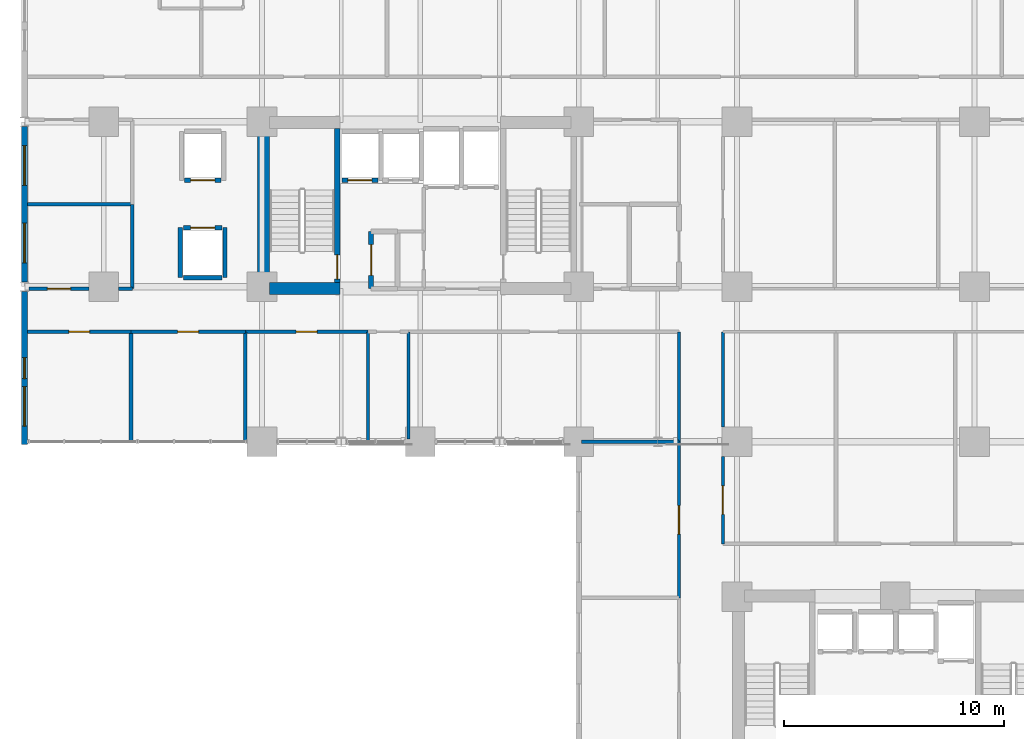
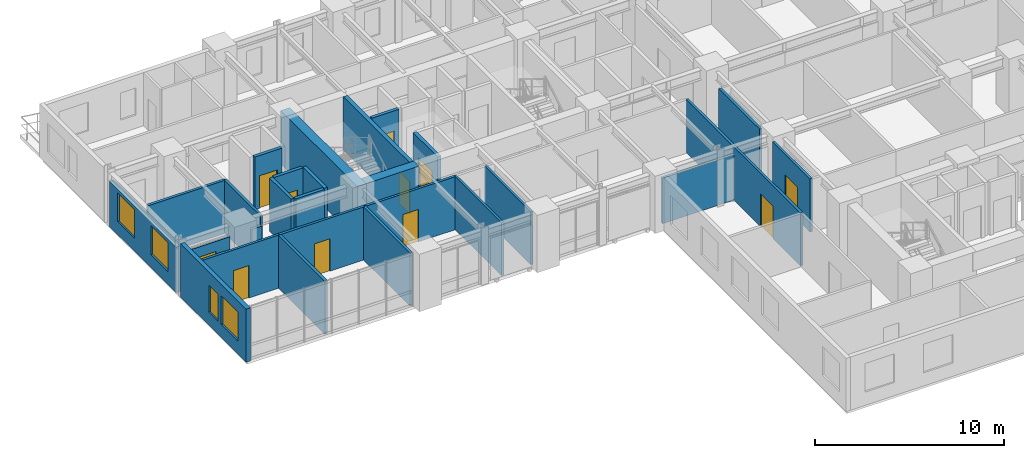
# One storey, part 8 of 17: 28 walls, 11 doors, 4 windows, 15 openings.
"""IFC4 building model written with IfcOpenShell, lengths in metres."""

from ifc_helpers import new_model, si_unit, direction, frame, frame_2d, origin, place, context, subcontext, project, spatial, rectangle, extrude, material, layer, layer_set, type_object, element, fill, save


model = new_model("IFC4")

# Units and contexts
model_context = context("Model", 3, precision=1e-05, world=origin(), true_north=direction((0.0, 1.0)))
body_context = subcontext(model_context, "Body", "Model", "MODEL_VIEW")
ifc_project = project(units=[si_unit("LENGTHUNIT", "METRE"), si_unit("AREAUNIT", "SQUARE_METRE"), si_unit("VOLUMEUNIT", "CUBIC_METRE"), si_unit("PLANEANGLEUNIT", "RADIAN"), si_unit("MASSUNIT", "GRAM", prefix="KILO")], contexts=[model_context])

# Site, building, storey
site_placement = place(None, origin())
site = spatial("IfcSite", under=ifc_project, at=site_placement, CompositionType="ELEMENT")
building_placement = place(site_placement, origin())
building = spatial("IfcBuilding", under=site, at=building_placement, Name="Kaliganga Portal Commons", CompositionType="ELEMENT")
storey_placement = place(building_placement, frame((0.0, 0.0, 43.800048828125)))
storey = spatial("IfcBuildingStorey", under=building, at=storey_placement, Name="L10", CompositionType="ELEMENT", Elevation=43.800048828125)

# Walls
ifc_material_1 = material(Name="Concrete C60/75", Category="concrete")
ifc_layer_1 = layer(ifc_material_1, 0.550048828125)
ifc_layer_set_1 = layer_set([ifc_layer_1], Name="Concrete C60/75")
wall_type_1 = type_object("IfcWallType", Name="WL-CORE-550", PredefinedType="SHEAR", material=ifc_layer_set_1)
wall_1_placement = place(storey_placement, frame((14.47509765625, 28.300048828125, 0.0), z_axis=(0.0, 0.0, 1.0), x_axis=(0.0, 1.0, 0.0)))
element("IfcWall", 1, at=wall_1_placement, inside=storey, type_object=wall_type_1, Name="Core A West Shear Wall L10", PredefinedType="SHEAR", context=body_context, shape_type="SweptSolid", body=[
    extrude(rectangle(XDim=8.099853515625, YDim=0.550048828125, at=frame_2d((4.0498046875, 0.0))), origin(), (0.0, 0.0, 1.0), 3.449951171875),
])
wall_2_placement = place(storey_placement, frame((14.75, 28.574951171875, 0.0), z_axis=(0.0, 0.0, 1.0), x_axis=(1.0, 0.0, 0.0)))
element("IfcWall", 2, at=wall_2_placement, inside=storey, type_object=wall_type_1, Name="Core A S-West Shear Wall L10", PredefinedType="SHEAR", context=body_context, shape_type="SweptSolid", body=[
    extrude(rectangle(XDim=3.199951171875, YDim=0.550048828125, at=frame_2d((1.60009765625, 0.0))), origin(), (0.0, 0.0, 1.0), 3.449951171875),
])

# Wall, openings, windows
ifc_material_2 = material(Name="Insulated Aluminium-Clad Spandrel Assembly", Category="aluminium")
ifc_layer_2 = layer(ifc_material_2, 0.260009765625)
ifc_layer_set_2 = layer_set([ifc_layer_2], Name="Insulated Aluminium-Clad Spandrel Assembly")
wall_type_2 = type_object("IfcWallType", Name="WL-EXT-SPAND-260", PredefinedType="STANDARD", material=ifc_layer_set_2)
wall_3_placement = place(storey_placement, frame((3.60009765625, 28.8740234375, 0.0), z_axis=(0.0, 0.0, 1.0), x_axis=(0.0, 1.0, 0.0)))
wall_3 = element("IfcWall", 3, at=wall_3_placement, inside=storey, type_object=wall_type_2, Name="Exterior Envelope Wall L10 P1-E03-S2", PredefinedType="STANDARD", context=body_context, shape_type="SweptSolid", body=[
    extrude(rectangle(XDim=7.052001953125, YDim=0.260009765625, at=frame_2d((3.52587890625, 0.0))), origin(), (0.0, 0.0, 1.0), 2.929931640625),
])
opening_1_placement = place(wall_3_placement, frame((0.863037109375, 0.0, 0.85009765625)))
opening_1 = element("IfcOpeningElement", 4, at=opening_1_placement, cuts=wall_3, Name="Opening W-01", PredefinedType="OPENING", context=body_context, shape_type="SweptSolid", body=[
    extrude(rectangle(XDim=1.800048828125, YDim=1.85009765625, at=frame_2d((0.89990234375, 0.925048828125))), frame((0.0, 0.14013671875, 0.0), z_axis=(0.0, -1.0, 0.0), x_axis=(1.0, 0.0, 0.0)), (0.0, 0.0, 1.0), 0.280029296875),
])
opening_2_placement = place(wall_3_placement, frame((4.388916015625, 0.0, 0.85009765625)))
opening_2 = element("IfcOpeningElement", 5, at=opening_2_placement, cuts=wall_3, Name="Opening W-01", PredefinedType="OPENING", context=body_context, shape_type="SweptSolid", body=[
    extrude(rectangle(XDim=1.800048828125, YDim=1.85009765625, at=frame_2d((0.89990234375, 0.925048828125))), frame((0.0, 0.14013671875, 0.0), z_axis=(0.0, -1.0, 0.0), x_axis=(1.0, 0.0, 0.0)), (0.0, 0.0, 1.0), 0.280029296875),
])
ifc_material_3 = material(Name="Thermally Broken Aluminium and Low-E Double Glazing", Category="aluminium")
window_type_1 = type_object("IfcWindowType", Name="WIN-STD-1800", PartitioningType="DOUBLE_PANEL_VERTICAL", PredefinedType="WINDOW", material=ifc_material_3)
window_1_placement = place(opening_1_placement, origin())
window_1 = element("IfcWindow", 6, at=window_1_placement, inside=storey, type_object=window_type_1, Name="Facade Window L10-P1E03S2-00", OverallHeight=1.85009765625, OverallWidth=1.800048828125, PartitioningType="SINGLE_PANEL", PredefinedType="WINDOW", context=body_context, shape_type="SweptSolid", body=[
    extrude(rectangle(XDim=1.800048828125, YDim=1.85009765625, at=frame_2d((0.89990234375, 0.925048828125))), frame((0.0, 0.030029296875, 0.0), z_axis=(0.0, -1.0, 0.0), x_axis=(1.0, 0.0, 0.0)), (0.0, 0.0, 1.0), 0.06005859375),
])
fill(opening_1, window_1)
window_2_placement = place(opening_2_placement, origin())
window_2 = element("IfcWindow", 7, at=window_2_placement, inside=storey, type_object=window_type_1, Name="Facade Window L10-P1E03S2-01", OverallHeight=1.85009765625, OverallWidth=1.800048828125, PartitioningType="SINGLE_PANEL", PredefinedType="WINDOW", context=body_context, shape_type="SweptSolid", body=[
    extrude(rectangle(XDim=1.800048828125, YDim=1.85009765625, at=frame_2d((0.89990234375, 0.925048828125))), frame((0.0, 0.030029296875, 0.0), z_axis=(0.0, -1.0, 0.0), x_axis=(1.0, 0.0, 0.0)), (0.0, 0.0, 1.0), 0.06005859375),
])
fill(opening_2, window_2)

wall_4_placement = place(storey_placement, frame((3.60009765625, 21.469970703125, 0.0), z_axis=(0.0, 0.0, 1.0), x_axis=(0.0, 1.0, 0.0)))
wall_4 = element("IfcWall", 8, at=wall_4_placement, inside=storey, type_object=wall_type_2, Name="Exterior Envelope Wall L10 P1-E03-S3", PredefinedType="STANDARD", context=body_context, shape_type="SweptSolid", body=[
    extrude(rectangle(XDim=6.9560546875, YDim=0.260009765625, at=frame_2d((3.47802734375, 0.0))), origin(), (0.0, 0.0, 1.0), 3.429931640625),
])
opening_3_placement = place(wall_4_placement, frame((0.839111328125, 0.0, 0.85009765625)))
opening_3 = element("IfcOpeningElement", 9, at=opening_3_placement, cuts=wall_4, Name="Opening W-01", PredefinedType="OPENING", context=body_context, shape_type="SweptSolid", body=[
    extrude(rectangle(XDim=1.800048828125, YDim=1.85009765625, at=frame_2d((0.89990234375, 0.925048828125))), frame((0.0, 0.14013671875, 0.0), z_axis=(0.0, -1.0, 0.0), x_axis=(1.0, 0.0, 0.0)), (0.0, 0.0, 1.0), 0.280029296875),
])
opening_4_placement = place(wall_4_placement, frame((3.0029296875, 0.0, 0.85009765625)))
opening_4 = element("IfcOpeningElement", 10, at=opening_4_placement, cuts=wall_4, Name="Opening W-04", PredefinedType="OPENING", context=body_context, shape_type="SweptSolid", body=[
    extrude(rectangle(XDim=0.949951171875, YDim=1.75, at=frame_2d((0.47509765625, 0.875))), frame((0.0, 0.14013671875, 0.0), z_axis=(0.0, -1.0, 0.0), x_axis=(1.0, 0.0, 0.0)), (0.0, 0.0, 1.0), 0.280029296875),
])
window_type_2 = type_object("IfcWindowType", Name="WIN-NARROW-950", PartitioningType="SINGLE_PANEL", PredefinedType="WINDOW", material=ifc_material_3)
window_3_placement = place(opening_4_placement, origin())
window_3 = element("IfcWindow", 11, at=window_3_placement, inside=storey, type_object=window_type_2, Name="Facade Window L10-P1E03S3-N0", OverallHeight=1.75, OverallWidth=0.949951171875, PartitioningType="SINGLE_PANEL", PredefinedType="WINDOW", context=body_context, shape_type="SweptSolid", body=[
    extrude(rectangle(XDim=0.949951171875, YDim=1.75, at=frame_2d((0.47509765625, 0.875))), frame((0.0, 0.030029296875, 0.0), z_axis=(0.0, -1.0, 0.0), x_axis=(1.0, 0.0, 0.0)), (0.0, 0.0, 1.0), 0.06005859375),
])
fill(opening_4, window_3)
window_4_placement = place(opening_3_placement, origin())
window_4 = element("IfcWindow", 12, at=window_4_placement, inside=storey, type_object=window_type_1, Name="Facade Window L10-P1E03S3-00", OverallHeight=1.85009765625, OverallWidth=1.800048828125, PartitioningType="SINGLE_PANEL", PredefinedType="WINDOW", context=body_context, shape_type="SweptSolid", body=[
    extrude(rectangle(XDim=1.800048828125, YDim=1.85009765625, at=frame_2d((0.89990234375, 0.925048828125))), frame((0.0, 0.030029296875, 0.0), z_axis=(0.0, -1.0, 0.0), x_axis=(1.0, 0.0, 0.0)), (0.0, 0.0, 1.0), 0.06005859375),
])
fill(opening_3, window_4)

# Wall, opening, door
ifc_material_4 = material(Name="Fire-Rated Gypsum Board on Steel Stud", Category="steel")
ifc_layer_3 = layer(ifc_material_4, 0.14990234375)
ifc_layer_set_3 = layer_set([ifc_layer_3], Name="Fire-Rated Gypsum Board on Steel Stud")
wall_type_3 = type_object("IfcWallType", Name="WL-PART-CORR-150", PredefinedType="PARTITIONING", material=ifc_layer_set_3)
wall_5_placement = place(storey_placement, frame((35.360107421875, 16.9599609375, 0.0), z_axis=(0.0, 0.0, 1.0), x_axis=(0.0, 1.0, 0.0)))
wall_5 = element("IfcWall", 13, at=wall_5_placement, inside=storey, type_object=wall_type_3, Name="Interior Partition L10-010", PredefinedType="PARTITIONING", context=body_context, shape_type="SweptSolid", body=[
    extrude(rectangle(XDim=3.965087890625, YDim=0.14990234375, at=frame_2d((1.982421875, 0.0))), origin(), (0.0, 0.0, 1.0), 3.429931640625),
])
opening_5_placement = place(wall_5_placement, frame((1.33251953125, 0.0, 0.0)))
opening_5 = element("IfcOpeningElement", 14, at=opening_5_placement, cuts=wall_5, Name="Opening RD-03", PredefinedType="OPENING", context=body_context, shape_type="SweptSolid", body=[
    extrude(rectangle(XDim=1.300048828125, YDim=2.1201171875, at=frame_2d((0.64990234375, 1.06005859375))), frame((0.0, 0.0849609375, 0.0), z_axis=(0.0, -1.0, 0.0), x_axis=(1.0, 0.0, 0.0)), (0.0, 0.0, 1.0), 0.169921875),
])
ifc_material_5 = material(Name="Glazed Timber Seminar Vision Door", Category="wood")
door_type_1 = type_object("IfcDoorType", Name="DR-STUDY-1300", OperationType="DOUBLE_DOOR_SINGLE_SWING", PredefinedType="DOOR", material=ifc_material_5)
door_1_placement = place(opening_5_placement, origin())
door_1 = element("IfcDoor", 15, at=door_1_placement, inside=storey, type_object=door_type_1, Name="Interior Door L10-BM01", OperationType="DOUBLE_DOOR_SINGLE_SWING", OverallHeight=2.1201171875, OverallWidth=1.300048828125, PredefinedType="DOOR", context=body_context, shape_type="SweptSolid", body=[
    extrude(rectangle(XDim=1.300048828125, YDim=2.1201171875, at=frame_2d((0.64990234375, 1.06005859375))), frame((0.0, 0.02490234375, 0.0), z_axis=(0.0, -1.0, 0.0), x_axis=(1.0, 0.0, 0.0)), (0.0, 0.0, 1.0), 0.050048828125),
])
fill(opening_5, door_1)

# Wall
wall_6_placement = place(storey_placement, frame((35.360107421875, 22.27490234375, 0.0), z_axis=(0.0, 0.0, 1.0), x_axis=(0.0, 1.0, 0.0)))
element("IfcWall", 16, at=wall_6_placement, inside=storey, type_object=wall_type_3, Name="Interior Partition L10-011", PredefinedType="PARTITIONING", context=body_context, shape_type="SweptSolid", body=[
    extrude(rectangle(XDim=4.3251953125, YDim=0.14990234375, at=frame_2d((2.16259765625, 0.0))), origin(), (0.0, 0.0, 1.0), 3.429931640625),
])

# Wall, opening, door
wall_7_placement = place(storey_placement, frame((33.360107421875, 14.5, 0.0), z_axis=(0.0, 0.0, 1.0), x_axis=(0.0, 1.0, 0.0)))
wall_7 = element("IfcWall", 17, at=wall_7_placement, inside=storey, type_object=wall_type_3, Name="Interior Partition L10-020", PredefinedType="PARTITIONING", context=body_context, shape_type="SweptSolid", body=[
    extrude(rectangle(XDim=7.10009765625, YDim=0.14990234375, at=frame_2d((3.550048828125, 0.0))), origin(), (0.0, 0.0, 1.0), 3.429931640625),
])
opening_6_placement = place(wall_7_placement, frame((2.89990234375, 0.0, 0.0)))
opening_6 = element("IfcOpeningElement", 18, at=opening_6_placement, cuts=wall_7, Name="Opening RD-03", PredefinedType="OPENING", context=body_context, shape_type="SweptSolid", body=[
    extrude(rectangle(XDim=1.300048828125, YDim=2.1201171875, at=frame_2d((0.64990234375, 1.06005859375))), frame((0.0, 0.0849609375, 0.0), z_axis=(0.0, -1.0, 0.0), x_axis=(1.0, 0.0, 0.0)), (0.0, 0.0, 1.0), 0.169921875),
])
door_2_placement = place(opening_6_placement, origin())
door_2 = element("IfcDoor", 19, at=door_2_placement, inside=storey, type_object=door_type_1, Name="Interior Door L10-KW02", OperationType="DOUBLE_DOOR_SINGLE_SWING", OverallHeight=2.1201171875, OverallWidth=1.300048828125, PredefinedType="DOOR", context=body_context, shape_type="SweptSolid", body=[
    extrude(rectangle(XDim=1.300048828125, YDim=2.1201171875, at=frame_2d((0.64990234375, 1.06005859375))), frame((0.0, 0.02490234375, 0.0), z_axis=(0.0, -1.0, 0.0), x_axis=(1.0, 0.0, 0.0)), (0.0, 0.0, 1.0), 0.050048828125),
])
fill(opening_6, door_2)

wall_8_placement = place(storey_placement, frame((13.639892578125, 26.60009765625, 0.0), z_axis=(0.0, 0.0, 1.0), x_axis=(1.0, 0.0, 0.0)))
wall_8 = element("IfcWall", 20, at=wall_8_placement, inside=storey, type_object=wall_type_3, Name="Interior Partition L10-028", PredefinedType="PARTITIONING", context=body_context, shape_type="SweptSolid", body=[
    extrude(rectangle(XDim=5.580078125, YDim=0.14990234375, at=frame_2d((2.7900390625, 0.0))), origin(), (0.0, 0.0, 1.0), 3.429931640625),
])
opening_7_placement = place(wall_8_placement, frame((2.31494140625, 0.0, 0.0)))
opening_7 = element("IfcOpeningElement", 21, at=opening_7_placement, cuts=wall_8, Name="Opening UD-01", PredefinedType="OPENING", context=body_context, shape_type="SweptSolid", body=[
    extrude(rectangle(XDim=0.949951171875, YDim=2.10009765625, at=frame_2d((0.47509765625, 1.050048828125))), frame((0.0, 0.0849609375, 0.0), z_axis=(0.0, -1.0, 0.0), x_axis=(1.0, 0.0, 0.0)), (0.0, 0.0, 1.0), 0.169921875),
])
ifc_material_6 = material(Name="Solid-Core Timber Acoustic Fire Door", Category="wood")
door_type_2 = type_object("IfcDoorType", Name="DR-UNIT-950", OperationType="NOTDEFINED", PredefinedType="DOOR", material=ifc_material_6)
door_3_placement = place(opening_7_placement, origin())
door_3 = element("IfcDoor", 22, at=door_3_placement, inside=storey, type_object=door_type_2, Name="Interior Door L10-AS03", OperationType="SINGLE_SWING_LEFT", OverallHeight=2.10009765625, OverallWidth=0.949951171875, PredefinedType="DOOR", context=body_context, shape_type="SweptSolid", body=[
    extrude(rectangle(XDim=0.949951171875, YDim=2.10009765625, at=frame_2d((0.47509765625, 1.050048828125))), frame((0.0, 0.02490234375, 0.0), z_axis=(0.0, -1.0, 0.0), x_axis=(1.0, 0.0, 0.0)), (0.0, 0.0, 1.0), 0.050048828125),
])
fill(opening_7, door_3)

wall_9_placement = place(storey_placement, frame((8.43994140625, 26.60009765625, 0.0), z_axis=(0.0, 0.0, 1.0), x_axis=(1.0, 0.0, 0.0)))
wall_9 = element("IfcWall", 23, at=wall_9_placement, inside=storey, type_object=wall_type_3, Name="Interior Partition L10-031", PredefinedType="PARTITIONING", context=body_context, shape_type="SweptSolid", body=[
    extrude(rectangle(XDim=5.199951171875, YDim=0.14990234375, at=frame_2d((2.60009765625, 0.0))), origin(), (0.0, 0.0, 1.0), 3.429931640625),
])
opening_8_placement = place(wall_9_placement, frame((2.125, 0.0, 0.0)))
opening_8 = element("IfcOpeningElement", 24, at=opening_8_placement, cuts=wall_9, Name="Opening UD-01", PredefinedType="OPENING", context=body_context, shape_type="SweptSolid", body=[
    extrude(rectangle(XDim=0.949951171875, YDim=2.10009765625, at=frame_2d((0.47509765625, 1.050048828125))), frame((0.0, 0.0849609375, 0.0), z_axis=(0.0, -1.0, 0.0), x_axis=(1.0, 0.0, 0.0)), (0.0, 0.0, 1.0), 0.169921875),
])
door_4_placement = place(opening_8_placement, origin())
door_4 = element("IfcDoor", 25, at=door_4_placement, inside=storey, type_object=door_type_2, Name="Interior Door L10-AS02", OperationType="SINGLE_SWING_RIGHT", OverallHeight=2.10009765625, OverallWidth=0.949951171875, PredefinedType="DOOR", context=body_context, shape_type="SweptSolid", body=[
    extrude(rectangle(XDim=0.949951171875, YDim=2.10009765625, at=frame_2d((0.47509765625, 1.050048828125))), frame((0.0, 0.02490234375, 0.0), z_axis=(0.0, -1.0, 0.0), x_axis=(1.0, 0.0, 0.0)), (0.0, 0.0, 1.0), 0.050048828125),
])
fill(opening_8, door_4)

# Wall
wall_10_placement = place(storey_placement, frame((33.360107421875, 21.60009765625, 0.0), z_axis=(0.0, 0.0, 1.0), x_axis=(0.0, 1.0, 0.0)))
element("IfcWall", 26, at=wall_10_placement, inside=storey, type_object=wall_type_3, Name="Interior Partition L10-034", PredefinedType="PARTITIONING", context=body_context, shape_type="SweptSolid", body=[
    extrude(rectangle(XDim=5.0, YDim=0.14990234375, at=frame_2d((2.5, 0.0))), origin(), (0.0, 0.0, 1.0), 3.429931640625),
])

# Wall, opening, door
wall_11_placement = place(storey_placement, frame((3.80810546875, 28.56005859375, 0.0), z_axis=(0.0, 0.0, 1.0), x_axis=(1.0, 0.0, 0.0)))
wall_11 = element("IfcWall", 27, at=wall_11_placement, inside=storey, type_object=wall_type_3, Name="Interior Partition L10-035", PredefinedType="PARTITIONING", context=body_context, shape_type="SweptSolid", body=[
    extrude(rectangle(XDim=2.716796875, YDim=0.14990234375, at=frame_2d((1.3583984375, 0.0))), origin(), (0.0, 0.0, 1.0), 2.780029296875),
])
opening_9_placement = place(wall_11_placement, frame((0.83349609375, 0.0, 0.0)))
opening_9 = element("IfcOpeningElement", 28, at=opening_9_placement, cuts=wall_11, Name="Opening UD-02", PredefinedType="OPENING", context=body_context, shape_type="SweptSolid", body=[
    extrude(rectangle(XDim=1.050048828125, YDim=2.1201171875, at=frame_2d((0.52490234375, 1.06005859375))), frame((0.0, 0.0849609375, 0.0), z_axis=(0.0, -1.0, 0.0), x_axis=(1.0, 0.0, 0.0)), (0.0, 0.0, 1.0), 0.169921875),
])
ifc_material_7 = material(Name="Accessible Wide-Leaf Acoustic Fire Door", Category="wood")
door_type_3 = type_object("IfcDoorType", Name="DR-ACC-1050", OperationType="NOTDEFINED", PredefinedType="DOOR", material=ifc_material_7)
door_5_placement = place(opening_9_placement, origin())
door_5 = element("IfcDoor", 29, at=door_5_placement, inside=storey, type_object=door_type_3, Name="Interior Door L10-AW01", OperationType="SINGLE_SWING_LEFT", OverallHeight=2.1201171875, OverallWidth=1.050048828125, PredefinedType="DOOR", context=body_context, shape_type="SweptSolid", body=[
    extrude(rectangle(XDim=1.050048828125, YDim=2.1201171875, at=frame_2d((0.52490234375, 1.06005859375))), frame((0.0, 0.02490234375, 0.0), z_axis=(0.0, -1.0, 0.0), x_axis=(1.0, 0.0, 0.0)), (0.0, 0.0, 1.0), 0.050048828125),
])
fill(opening_9, door_5)

# Wall
wall_12_placement = place(storey_placement, frame((7.875, 28.56005859375, 0.0), z_axis=(0.0, 0.0, 1.0), x_axis=(1.0, 0.0, 0.0)))
element("IfcWall", 30, at=wall_12_placement, inside=storey, type_object=wall_type_3, Name="Interior Partition L10-036", PredefinedType="PARTITIONING", context=body_context, shape_type="SweptSolid", body=[
    extrude(rectangle(XDim=0.625, YDim=0.14990234375, at=frame_2d((0.3125, 0.0))), origin(), (0.0, 0.0, 1.0), 2.780029296875),
])

# Wall, opening, door
wall_13_placement = place(storey_placement, frame((3.73193359375, 26.60009765625, 0.0), z_axis=(0.0, 0.0, 1.0), x_axis=(1.0, 0.0, 0.0)))
wall_13 = element("IfcWall", 31, at=wall_13_placement, inside=storey, type_object=wall_type_3, Name="Interior Partition L10-039", PredefinedType="PARTITIONING", context=body_context, shape_type="SweptSolid", body=[
    extrude(rectangle(XDim=4.7080078125, YDim=0.14990234375, at=frame_2d((2.35400390625, 0.0))), origin(), (0.0, 0.0, 1.0), 3.429931640625),
])
opening_10_placement = place(wall_13_placement, frame((1.87890625, 0.0, 0.0)))
opening_10 = element("IfcOpeningElement", 32, at=opening_10_placement, cuts=wall_13, Name="Opening UD-01", PredefinedType="OPENING", context=body_context, shape_type="SweptSolid", body=[
    extrude(rectangle(XDim=0.949951171875, YDim=2.10009765625, at=frame_2d((0.47509765625, 1.050048828125))), frame((0.0, 0.0849609375, 0.0), z_axis=(0.0, -1.0, 0.0), x_axis=(1.0, 0.0, 0.0)), (0.0, 0.0, 1.0), 0.169921875),
])
door_6_placement = place(opening_10_placement, origin())
door_6 = element("IfcDoor", 33, at=door_6_placement, inside=storey, type_object=door_type_2, Name="Interior Door L10-AS01", OperationType="SINGLE_SWING_LEFT", OverallHeight=2.10009765625, OverallWidth=0.949951171875, PredefinedType="DOOR", context=body_context, shape_type="SweptSolid", body=[
    extrude(rectangle(XDim=0.949951171875, YDim=2.10009765625, at=frame_2d((0.47509765625, 1.050048828125))), frame((0.0, 0.02490234375, 0.0), z_axis=(0.0, -1.0, 0.0), x_axis=(1.0, 0.0, 0.0)), (0.0, 0.0, 1.0), 0.050048828125),
])
fill(opening_10, door_6)

# Wall
wall_14_placement = place(storey_placement, frame((8.5, 28.56005859375, 0.0), z_axis=(0.0, 0.0, 1.0), x_axis=(0.0, 1.0, 0.0)))
element("IfcWall", 34, at=wall_14_placement, inside=storey, type_object=wall_type_3, Name="Interior Partition L10-047", PredefinedType="PARTITIONING", context=body_context, shape_type="SweptSolid", body=[
    extrude(rectangle(XDim=3.83984375, YDim=0.14990234375, at=frame_2d((1.919921875, 0.0))), origin(), (0.0, 0.0, 1.0), 3.429931640625),
])

# Wall, opening, door
ifc_material_8 = material(Name="Lightweight blockwork masonry", Category="masonry")
ifc_layer_4 = layer(ifc_material_8, 0.215087890625)
ifc_layer_set_4 = layer_set([ifc_layer_4], Name="Lightweight blockwork masonry")
wall_type_4 = type_object("IfcWallType", Name="WL-PART-PLANT-215", PredefinedType="PARTITIONING", material=ifc_layer_set_4)
wall_15_placement = place(storey_placement, frame((19.360107421875, 28.56005859375, 0.0), z_axis=(0.0, 0.0, 1.0), x_axis=(0.0, 1.0, 0.0)))
wall_15 = element("IfcWall", 35, at=wall_15_placement, inside=storey, type_object=wall_type_4, Name="Interior Partition L10-049", PredefinedType="PARTITIONING", context=body_context, shape_type="SweptSolid", body=[
    extrude(rectangle(XDim=2.599853515625, YDim=0.215087890625, at=frame_2d((1.2998046875, 0.0))), origin(), (0.0, 0.0, 1.0), 3.429931640625),
])
opening_11_placement = place(wall_15_placement, frame((0.60009765625, 0.0, 0.0)))
opening_11 = element("IfcOpeningElement", 36, at=opening_11_placement, cuts=wall_15, Name="Opening PD-01", PredefinedType="OPENING", context=body_context, shape_type="SweptSolid", body=[
    extrude(rectangle(XDim=1.39990234375, YDim=2.14990234375, at=frame_2d((0.699951171875, 1.074951171875))), frame((0.0, 0.11767578125, 0.0), z_axis=(0.0, -1.0, 0.0), x_axis=(1.0, 0.0, 0.0)), (0.0, 0.0, 1.0), 0.235107421875),
])
ifc_material_9 = material(Name="Heavy-Duty Steel Acoustic Louvre Fire Door", Category="steel")
door_type_4 = type_object("IfcDoorType", Name="DR-PLANT-1400", OperationType="DOUBLE_DOOR_SINGLE_SWING", PredefinedType="DOOR", material=ifc_material_9)
door_7_placement = place(opening_11_placement, origin())
door_7 = element("IfcDoor", 37, at=door_7_placement, inside=storey, type_object=door_type_4, Name="Interior Door L10-CIN_A1", OperationType="DOUBLE_DOOR_SINGLE_SWING", OverallHeight=2.14990234375, OverallWidth=1.39990234375, PredefinedType="DOOR", context=body_context, shape_type="SweptSolid", body=[
    extrude(rectangle(XDim=1.39990234375, YDim=2.14990234375, at=frame_2d((0.699951171875, 1.074951171875))), frame((0.0, 0.02490234375, 0.0), z_axis=(0.0, -1.0, 0.0), x_axis=(1.0, 0.0, 0.0)), (0.0, 0.0, 1.0), 0.050048828125),
])
fill(opening_11, door_7)

# Walls
ifc_material_10 = material(Name="Twin-Stud Acoustic Gypsum Partition", Category="gypsum")
ifc_layer_5 = layer(ifc_material_10, 0.1650390625)
ifc_layer_set_5 = layer_set([ifc_layer_5], Name="Twin-Stud Acoustic Gypsum Partition")
wall_type_5 = type_object("IfcWallType", Name="WL-PART-UNIT-165", PredefinedType="PARTITIONING", material=ifc_layer_set_5)
for number, where, z_axis, x_axis, name in (
    (38, (8.43994140625, 21.6201171875, 0.0), (0.0, 0.0, 1.0), (0.0, 1.0, 0.0), "Interior Partition L10-072"),
    (39, (13.639892578125, 21.6201171875, 0.0), (0.0, 0.0, 1.0), (0.0, 1.0, 0.0), "Interior Partition L10-073"),
):
    element("IfcWall", number, at=place(storey_placement, frame(where, z_axis=z_axis, x_axis=x_axis)), inside=storey, type_object=wall_type_5, Name=name, PredefinedType="PARTITIONING", context=body_context, shape_type="SweptSolid", body=[
        extrude(rectangle(XDim=4.97998046875, YDim=0.1650390625, at=frame_2d((2.489990234375, 0.0))), origin(), (0.0, 0.0, 1.0), 3.429931640625),
    ])
wall_16_placement = place(storey_placement, frame((3.73193359375, 32.39990234375, 0.0), z_axis=(0.0, 0.0, 1.0), x_axis=(1.0, 0.0, 0.0)))
element("IfcWall", 40, at=wall_16_placement, inside=storey, type_object=wall_type_5, Name="Interior Partition L10-081", PredefinedType="PARTITIONING", context=body_context, shape_type="SweptSolid", body=[
    extrude(rectangle(XDim=4.76806640625, YDim=0.1650390625, at=frame_2d((2.384033203125, 0.0))), origin(), (0.0, 0.0, 1.0), 3.429931640625),
])
wall_17_placement = place(storey_placement, frame((28.931884765625, 21.60009765625, 0.0), z_axis=(0.0, 0.0, 1.0), x_axis=(1.0, 0.0, 0.0)))
element("IfcWall", 41, at=wall_17_placement, inside=storey, type_object=wall_type_5, Name="Interior Partition L10-084", PredefinedType="PARTITIONING", context=body_context, shape_type="SweptSolid", body=[
    extrude(rectangle(XDim=4.42822265625, YDim=0.1650390625, at=frame_2d((2.214111328125, 0.0))), origin(), (0.0, 0.0, 1.0), 2.929931640625),
])
ifc_material_11 = material(Name="Cement-Board Wet-Room Partition", Category="gypsum")
ifc_layer_6 = layer(ifc_material_11, 0.135009765625)
ifc_layer_set_6 = layer_set([ifc_layer_6], Name="Cement-Board Wet-Room Partition")
wall_type_6 = type_object("IfcWallType", Name="WL-PART-WET-135", PredefinedType="PARTITIONING", material=ifc_layer_set_6)
wall_18_placement = place(storey_placement, frame((19.219970703125, 21.6201171875, 0.0), z_axis=(0.0, 0.0, 1.0), x_axis=(0.0, 1.0, 0.0)))
element("IfcWall", 42, at=wall_18_placement, inside=storey, type_object=wall_type_6, Name="Interior Partition L10-074", PredefinedType="PARTITIONING", context=body_context, shape_type="SweptSolid", body=[
    extrude(rectangle(XDim=4.97998046875, YDim=0.135009765625, at=frame_2d((2.489990234375, 0.0))), origin(), (0.0, 0.0, 1.0), 3.429931640625),
])
wall_19_placement = place(storey_placement, frame((21.06005859375, 21.73193359375, 0.0), z_axis=(0.0, 0.0, 1.0), x_axis=(0.0, 1.0, 0.0)))
element("IfcWall", 43, at=wall_19_placement, inside=storey, type_object=wall_type_6, Name="Interior Partition L10-076", PredefinedType="PARTITIONING", context=body_context, shape_type="SweptSolid", body=[
    extrude(rectangle(XDim=4.8681640625, YDim=0.135009765625, at=frame_2d((2.43408203125, 0.0))), origin(), (0.0, 0.0, 1.0), 3.429931640625),
])

# Wall, opening, door
ifc_material_12 = material(Name="Fire-Rated Shaftwall Masonry Assembly", Category="masonry")
ifc_layer_7 = layer(ifc_material_12, 0.199951171875)
ifc_layer_set_7 = layer_set([ifc_layer_7], Name="Fire-Rated Shaftwall Masonry Assembly")
wall_type_7 = type_object("IfcWallType", Name="WL-SHAFT-200", PredefinedType="PARTITIONING", material=ifc_layer_set_7)
wall_20_placement = place(storey_placement, frame((18.02490234375, 33.485107421875, 0.0), z_axis=(0.0, 0.0, 1.0), x_axis=(1.0, 0.0, 0.0)))
wall_20 = element("IfcWall", 44, at=wall_20_placement, inside=storey, type_object=wall_type_7, Name="Lift PL-A1 Hoistway Shaft Wall L10-S", PredefinedType="PARTITIONING", context=body_context, shape_type="SweptSolid", body=[
    extrude(rectangle(XDim=1.650146484375, YDim=0.199951171875, at=frame_2d((0.8251953125, 0.0))), origin(), (0.0, 0.0, 1.0), 3.429931640625),
])
opening_12_placement = place(wall_20_placement, frame((0.27490234375, 0.0, 0.0)))
opening_12 = element("IfcOpeningElement", 45, at=opening_12_placement, cuts=wall_20, Name="Opening LD-01", PredefinedType="OPENING", context=body_context, shape_type="SweptSolid", body=[
    extrude(rectangle(XDim=1.10009765625, YDim=2.1201171875, at=frame_2d((0.550048828125, 1.06005859375))), frame((0.0, 0.10986328125, 0.0), z_axis=(0.0, -1.0, 0.0), x_axis=(1.0, 0.0, 0.0)), (0.0, 0.0, 1.0), 0.219970703125),
])
ifc_material_13 = material(Name="Brushed Stainless Steel 316 Lift Landing Door", Category="steel")
door_type_5 = type_object("IfcDoorType", Name="DR-LIFT-1100", OperationType="SLIDING_TO_LEFT", PredefinedType="DOOR", material=ifc_material_13)
door_8_placement = place(opening_12_placement, origin())
door_8 = element("IfcDoor", 46, at=door_8_placement, inside=storey, type_object=door_type_5, Name="Lift PL-A1 Sliding Landing Door L10", OperationType="SLIDING_TO_LEFT", OverallHeight=2.1201171875, OverallWidth=1.10009765625, PredefinedType="DOOR", context=body_context, shape_type="SweptSolid", body=[
    extrude(rectangle(XDim=1.10009765625, YDim=2.1201171875, at=frame_2d((0.550048828125, 1.06005859375))), frame((0.0, 0.02490234375, 0.0), z_axis=(0.0, -1.0, 0.0), x_axis=(1.0, 0.0, 0.0)), (0.0, 0.0, 1.0), 0.050048828125),
])
fill(opening_12, door_8)

# Wall
wall_21_placement = place(storey_placement, frame((10.824951171875, 29.06005859375, 0.0), z_axis=(0.0, 0.0, 1.0), x_axis=(1.0, 0.0, 0.0)))
element("IfcWall", 47, at=wall_21_placement, inside=storey, type_object=wall_type_7, Name="Lift SH-1 Hoistway Shaft Wall L10-S", PredefinedType="PARTITIONING", context=body_context, shape_type="SweptSolid", body=[
    extrude(rectangle(XDim=1.75, YDim=0.199951171875, at=frame_2d((0.875, 0.0))), origin(), (0.0, 0.0, 1.0), 3.429931640625),
])

# Wall, opening, door
wall_22_placement = place(storey_placement, frame((10.824951171875, 31.340087890625, 0.0), z_axis=(0.0, 0.0, 1.0), x_axis=(1.0, 0.0, 0.0)))
wall_22 = element("IfcWall", 48, at=wall_22_placement, inside=storey, type_object=wall_type_7, Name="Lift SH-1 Hoistway Shaft Wall L10-N", PredefinedType="PARTITIONING", context=body_context, shape_type="SweptSolid", body=[
    extrude(rectangle(XDim=1.75, YDim=0.199951171875, at=frame_2d((0.875, 0.0))), origin(), (0.0, 0.0, 1.0), 3.429931640625),
])
opening_13_placement = place(wall_22_placement, frame((0.324951171875, 0.0, 0.0)))
opening_13 = element("IfcOpeningElement", 49, at=opening_13_placement, cuts=wall_22, Name="Opening LD-01", PredefinedType="OPENING", context=body_context, shape_type="SweptSolid", body=[
    extrude(rectangle(XDim=1.10009765625, YDim=2.1201171875, at=frame_2d((0.550048828125, 1.06005859375))), frame((0.0, 0.10986328125, 0.0), z_axis=(0.0, -1.0, 0.0), x_axis=(1.0, 0.0, 0.0)), (0.0, 0.0, 1.0), 0.219970703125),
])
door_9_placement = place(opening_13_placement, origin())
door_9 = element("IfcDoor", 50, at=door_9_placement, inside=storey, type_object=door_type_5, Name="Lift SH-1 Sliding Landing Door L10", OperationType="SLIDING_TO_LEFT", OverallHeight=2.1201171875, OverallWidth=1.10009765625, PredefinedType="DOOR", context=body_context, shape_type="SweptSolid", body=[
    extrude(rectangle(XDim=1.10009765625, YDim=2.1201171875, at=frame_2d((0.550048828125, 1.06005859375))), frame((0.0, 0.02490234375, 0.0), z_axis=(0.0, -1.0, 0.0), x_axis=(1.0, 0.0, 0.0)), (0.0, 0.0, 1.0), 0.050048828125),
])
fill(opening_13, door_9)

# Walls
for number, where, z_axis, x_axis, name in (
    (51, (10.68505859375, 29.06005859375, 0.0), (0.0, 0.0, 1.0), (0.0, 1.0, 0.0), "Lift SH-1 Hoistway Shaft Wall L10-W"),
    (52, (12.715087890625, 29.06005859375, 0.0), (0.0, 0.0, 1.0), (0.0, 1.0, 0.0), "Lift SH-1 Hoistway Shaft Wall L10-E"),
):
    element("IfcWall", number, at=place(storey_placement, frame(where, z_axis=z_axis, x_axis=x_axis)), inside=storey, type_object=wall_type_7, Name=name, PredefinedType="PARTITIONING", context=body_context, shape_type="SweptSolid", body=[
        extrude(rectangle(XDim=2.280029296875, YDim=0.199951171875, at=frame_2d((1.14013671875, 0.0))), origin(), (0.0, 0.0, 1.0), 3.429931640625),
    ])

# Wall, opening, door
wall_23_placement = place(storey_placement, frame((10.875, 33.485107421875, 0.0), z_axis=(0.0, 0.0, 1.0), x_axis=(1.0, 0.0, 0.0)))
wall_23 = element("IfcWall", 53, at=wall_23_placement, inside=storey, type_object=wall_type_7, Name="Lift PL-OBS Hoistway Shaft Wall L10-S", PredefinedType="PARTITIONING", context=body_context, shape_type="SweptSolid", body=[
    extrude(rectangle(XDim=1.64990234375, YDim=0.199951171875, at=frame_2d((0.824951171875, 0.0))), origin(), (0.0, 0.0, 1.0), 3.429931640625),
])
opening_14_placement = place(wall_23_placement, frame((0.27490234375, 0.0, 0.0)))
opening_14 = element("IfcOpeningElement", 54, at=opening_14_placement, cuts=wall_23, Name="Opening LD-01", PredefinedType="OPENING", context=body_context, shape_type="SweptSolid", body=[
    extrude(rectangle(XDim=1.10009765625, YDim=2.1201171875, at=frame_2d((0.550048828125, 1.06005859375))), frame((0.0, 0.10986328125, 0.0), z_axis=(0.0, -1.0, 0.0), x_axis=(1.0, 0.0, 0.0)), (0.0, 0.0, 1.0), 0.219970703125),
])
door_10_placement = place(opening_14_placement, origin())
door_10 = element("IfcDoor", 55, at=door_10_placement, inside=storey, type_object=door_type_5, Name="Lift PL-OBS Sliding Landing Door L10", OperationType="SLIDING_TO_LEFT", OverallHeight=2.1201171875, OverallWidth=1.10009765625, PredefinedType="DOOR", context=body_context, shape_type="SweptSolid", body=[
    extrude(rectangle(XDim=1.10009765625, YDim=2.1201171875, at=frame_2d((0.550048828125, 1.06005859375))), frame((0.0, 0.02490234375, 0.0), z_axis=(0.0, -1.0, 0.0), x_axis=(1.0, 0.0, 0.0)), (0.0, 0.0, 1.0), 0.050048828125),
])
fill(opening_14, door_10)

ifc_material_14 = material(Name="Concrete C50/60", Category="concrete")
ifc_layer_8 = layer(ifc_material_14, 0.25)
ifc_layer_set_8 = layer_set([ifc_layer_8], Name="Concrete C50/60")
wall_type_8 = type_object("IfcWallType", Name="WL-STAIR-250", PredefinedType="SHEAR", material=ifc_layer_set_8)
wall_24_placement = place(storey_placement, frame((17.824951171875, 28.85009765625, 0.0), z_axis=(0.0, 0.0, 1.0), x_axis=(0.0, 1.0, 0.0)))
wall_24 = element("IfcWall", 56, at=wall_24_placement, inside=storey, type_object=wall_type_8, Name="Stair A1 Enclosure Shear Wall L10", PredefinedType="SHEAR", context=body_context, shape_type="SweptSolid", body=[
    extrude(rectangle(XDim=7.0, YDim=0.25, at=frame_2d((3.5, 0.0))), origin(), (0.0, 0.0, 1.0), 3.449951171875),
])
opening_15_placement = place(wall_24_placement, frame((0.14990234375, 0.0, 0.0)))
opening_15 = element("IfcOpeningElement", 57, at=opening_15_placement, cuts=wall_24, Name="Opening SD-01", PredefinedType="OPENING", context=body_context, shape_type="SweptSolid", body=[
    extrude(rectangle(XDim=1.10009765625, YDim=2.080078125, at=frame_2d((0.550048828125, 1.0400390625))), frame((0.0, 0.135009765625, 0.0), z_axis=(0.0, -1.0, 0.0), x_axis=(1.0, 0.0, 0.0)), (0.0, 0.0, 1.0), 0.27001953125),
])
ifc_material_15 = material(Name="Galvanized Steel Fire Door Leaf and Frame", Category="steel")
door_type_6 = type_object("IfcDoorType", Name="DR-STAIR-1100", OperationType="NOTDEFINED", PredefinedType="DOOR", material=ifc_material_15)
door_11_placement = place(opening_15_placement, origin())
door_11 = element("IfcDoor", 58, at=door_11_placement, inside=storey, type_object=door_type_6, Name="Protected Stair ST-A1 Fire Door L10", OperationType="SINGLE_SWING_RIGHT", OverallHeight=2.080078125, OverallWidth=1.10009765625, PredefinedType="DOOR", context=body_context, shape_type="SweptSolid", body=[
    extrude(rectangle(XDim=1.10009765625, YDim=2.080078125, at=frame_2d((0.550048828125, 1.0400390625))), frame((0.0, 0.02490234375, 0.0), z_axis=(0.0, -1.0, 0.0), x_axis=(1.0, 0.0, 0.0)), (0.0, 0.0, 1.0), 0.050048828125),
])
fill(opening_15, door_11)

save(model, "model.ifc")
